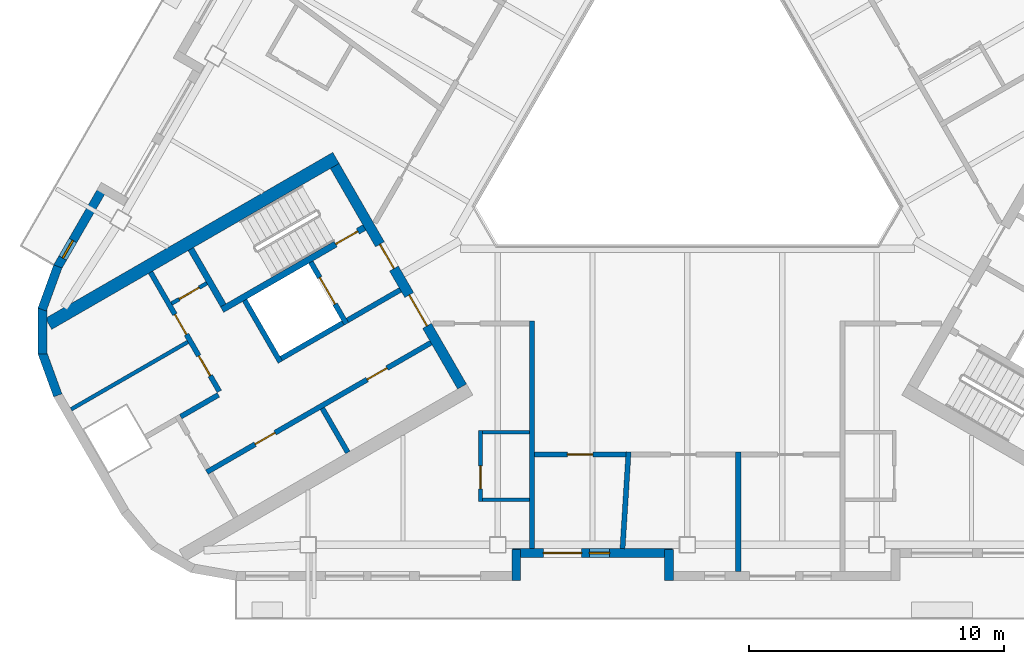
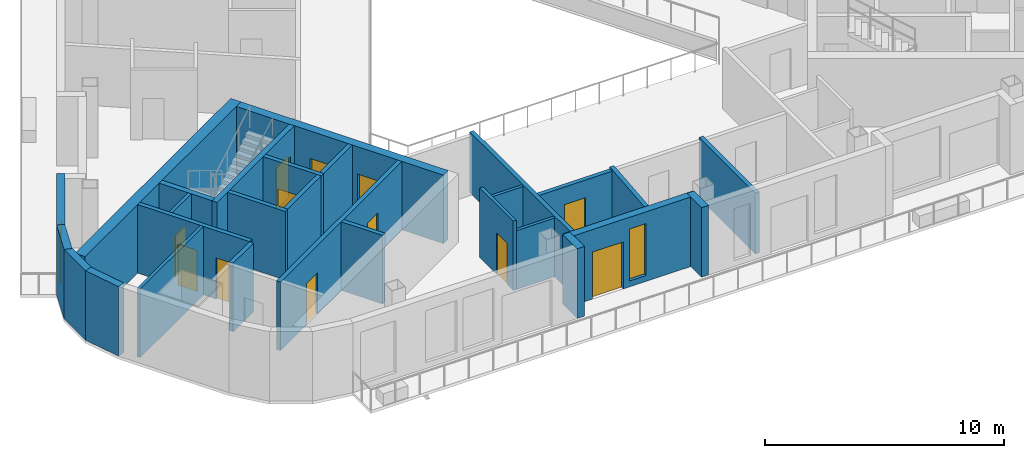
# One storey, part 3 of 13: 28 walls, 12 doors, 2 windows, 14 openings.
"""IFC4 building model written with IfcOpenShell, lengths in metres."""

from ifc_helpers import new_model, si_unit, direction, frame, frame_2d, origin, place, context, subcontext, project, spatial, rectangle, extrude, material, layer, layer_set, type_object, element, fill, save


model = new_model("IFC4")

# Units and contexts
model_context = context("Model", 3, precision=1e-05, world=origin(), true_north=direction((0.0, 1.0)))
body_context = subcontext(model_context, "Body", "Model", "MODEL_VIEW")
ifc_project = project(units=[si_unit("LENGTHUNIT", "METRE"), si_unit("AREAUNIT", "SQUARE_METRE"), si_unit("VOLUMEUNIT", "CUBIC_METRE"), si_unit("PLANEANGLEUNIT", "RADIAN"), si_unit("MASSUNIT", "GRAM", prefix="KILO")], contexts=[model_context])

# Site, building, storey
site_placement = place(None, origin())
site = spatial("IfcSite", under=ifc_project, at=site_placement, CompositionType="ELEMENT")
building_placement = place(site_placement, origin())
building = spatial("IfcBuilding", under=site, at=building_placement, Name="Apuvela Tower Hotel", CompositionType="ELEMENT")
storey_placement = place(building_placement, frame((0.0, 0.0, 272.60009765625)))
storey = spatial("IfcBuildingStorey", under=building, at=storey_placement, Name="L67", CompositionType="ELEMENT", Elevation=272.60009765625)

# Wall, openings, doors
ifc_material_1 = material(Name="Concrete C50/60", Category="concrete")
ifc_layer_1 = layer(ifc_material_1, 0.39990234375)
ifc_layer_set_1 = layer_set([ifc_layer_1], Name="COR-WALL-CORE-400")
wall_type_1 = type_object("IfcWallType", Name="COR-WALL-CORE-400", PredefinedType="SHEAR", material=ifc_layer_set_1)
wall_1_placement = place(storey_placement, frame((-13.844970703125, -2.219970703125, 0.0), z_axis=(0.0, 0.0, 1.0), x_axis=(0.500004234368, -0.866022959057, 0.0)))
wall_1 = element("IfcWall", 1, at=wall_1_placement, inside=storey, type_object=wall_type_1, Name="Core wall SW", PredefinedType="SHEAR", context=body_context, shape_type="SweptSolid", body=[
    extrude(rectangle(XDim=10.0, YDim=0.39990234375, at=frame_2d((5.0, 0.0))), origin(), (0.0, 0.0, 1.0), 3.5),
])
opening_1_placement = place(wall_1_placement, frame((3.550048828125, 0.0, 0.0)))
opening_1 = element("IfcOpeningElement", 2, at=opening_1_placement, cuts=wall_1, Name="Opening W-FD", PredefinedType="OPENING", context=body_context, shape_type="SweptSolid", body=[
    extrude(rectangle(XDim=1.10009765625, YDim=2.10009765625, at=frame_2d((0.550048828125, 1.050048828125))), frame((0.0, 0.2099609375, 0.0), z_axis=(0.0, -1.0, 0.0), x_axis=(1.0, 0.0, 0.0)), (0.0, 0.0, 1.0), 0.419921875),
])
opening_2_placement = place(wall_1_placement, frame((5.85009765625, 0.0, 0.0)))
opening_2 = element("IfcOpeningElement", 3, at=opening_2_placement, cuts=wall_1, Name="Opening W-GD", PredefinedType="OPENING", context=body_context, shape_type="SweptSolid", body=[
    extrude(rectangle(XDim=1.39990234375, YDim=2.10009765625, at=frame_2d((0.699951171875, 1.050048828125))), frame((0.0, 0.2099609375, 0.0), z_axis=(0.0, -1.0, 0.0), x_axis=(1.0, 0.0, 0.0)), (0.0, 0.0, 1.0), 0.419921875),
])
ifc_material_2 = material(Name="Steel fire door, powder coated", Category="steel")
door_type_1 = type_object("IfcDoorType", Name="COR-FD-1100", OperationType="NOTDEFINED", PredefinedType="DOOR", material=ifc_material_2)
door_1_placement = place(opening_1_placement, frame((1.10009765625, 0.0, 0.0), z_axis=(0.0, 0.0, 1.0), x_axis=(-1.0, 0.0, 0.0)))
door_1 = element("IfcDoor", 4, at=door_1_placement, inside=storey, type_object=door_type_1, Name="Firefighting lobby door W-FD", OperationType="SINGLE_SWING_LEFT", OverallHeight=2.10009765625, OverallWidth=1.10009765625, PredefinedType="DOOR", context=body_context, shape_type="SweptSolid", body=[
    extrude(rectangle(XDim=1.10009765625, YDim=2.10009765625, at=frame_2d((0.550048828125, 1.050048828125))), frame((0.0, 0.02490234375, 0.0), z_axis=(0.0, -1.0, 0.0), x_axis=(1.0, 0.0, 0.0)), (0.0, 0.0, 1.0), 0.050048828125),
])
fill(opening_1, door_1)
ifc_material_3 = material(Name="Glazed steel fire door", Category="steel")
door_type_2 = type_object("IfcDoorType", Name="COR-GD-1400", OperationType="DOUBLE_DOOR_SINGLE_SWING", PredefinedType="DOOR", material=ifc_material_3)
door_2_placement = place(opening_2_placement, frame((1.39990234375, 0.0, 0.0), z_axis=(0.0, 0.0, 1.0), x_axis=(-1.0, 0.0, 0.0)))
door_2 = element("IfcDoor", 5, at=door_2_placement, inside=storey, type_object=door_type_2, Name="Lift lobby door W-GD", OperationType="DOUBLE_DOOR_SINGLE_SWING", OverallHeight=2.10009765625, OverallWidth=1.39990234375, PredefinedType="DOOR", context=body_context, shape_type="SweptSolid", body=[
    extrude(rectangle(XDim=1.39990234375, YDim=2.10009765625, at=frame_2d((0.699951171875, 1.050048828125))), frame((0.0, 0.02490234375, 0.0), z_axis=(0.0, -1.0, 0.0), x_axis=(1.0, 0.0, 0.0)), (0.0, 0.0, 1.0), 0.050048828125),
])
fill(opening_2, door_2)

# Wall
ifc_layer_2 = layer(ifc_material_1, 0.5)
ifc_layer_set_2 = layer_set([ifc_layer_2], Name="COR-WALL-CORE-500")
wall_type_2 = type_object("IfcWallType", Name="COR-WALL-CORE-500", PredefinedType="SHEAR", material=ifc_layer_set_2)
wall_2_placement = place(storey_placement, frame((-13.796630859375, -1.9033203125, 0.0), z_axis=(0.0, 0.0, 1.0), x_axis=(-0.866022106474, -0.500005711065, 0.0)))
element("IfcWall", 6, at=wall_2_placement, inside=storey, type_object=wall_type_2, Name="Core wall SW", PredefinedType="SHEAR", context=body_context, shape_type="SweptSolid", body=[
    extrude(rectangle(XDim=13.031494140625, YDim=0.5, at=frame_2d((6.515625, 0.0))), origin(), (0.0, 0.0, 1.0), 3.5),
])

# Wall, opening, door
ifc_material_4 = material(Name="Blockwork 150 mm plastered", Category="masonry")
ifc_layer_3 = layer(ifc_material_4, 0.14990234375)
ifc_layer_set_3 = layer_set([ifc_layer_3], Name="COR-WALL-PART-150")
wall_type_3 = type_object("IfcWallType", Name="COR-WALL-PART-150", PredefinedType="PARTITIONING", material=ifc_layer_set_3)
wall_3_placement = place(storey_placement, frame((-18.866455078125, -6.822265625, 0.0), z_axis=(0.0, 0.0, 1.0), x_axis=(-0.866028054938, -0.499995408039, 0.0)))
wall_3 = element("IfcWall", 7, at=wall_3_placement, inside=storey, type_object=wall_type_3, Name="Partition SW", PredefinedType="PARTITIONING", context=body_context, shape_type="SweptSolid", body=[
    extrude(rectangle(XDim=1.60009765625, YDim=0.14990234375, at=frame_2d((0.800048828125, 0.0))), origin(), (0.0, 0.0, 1.0), 3.5),
])
opening_3_placement = place(wall_3_placement, frame((0.35009765625, 0.0, 0.0)))
opening_3 = element("IfcOpeningElement", 8, at=opening_3_placement, cuts=wall_3, Name="Opening W-RD", PredefinedType="OPENING", context=body_context, shape_type="SweptSolid", body=[
    extrude(rectangle(XDim=0.89990234375, YDim=2.10009765625, at=frame_2d((0.449951171875, 1.050048828125))), frame((0.0, 0.0849609375, 0.0), z_axis=(0.0, -1.0, 0.0), x_axis=(1.0, 0.0, 0.0)), (0.0, 0.0, 1.0), 0.169921875),
])
ifc_material_5 = material(Name="Steel access door, powder coated", Category="steel")
door_type_3 = type_object("IfcDoorType", Name="COR-RD-900", OperationType="NOTDEFINED", PredefinedType="DOOR", material=ifc_material_5)
door_3_placement = place(opening_3_placement, frame((0.89990234375, 0.0, 0.0), z_axis=(0.0, 0.0, 1.0), x_axis=(-1.0, 0.0, 0.0)))
door_3 = element("IfcDoor", 9, at=door_3_placement, inside=storey, type_object=door_type_3, Name="Riser door W-RD", OperationType="SINGLE_SWING_RIGHT", OverallHeight=2.10009765625, OverallWidth=0.89990234375, PredefinedType="DOOR", context=body_context, shape_type="SweptSolid", body=[
    extrude(rectangle(XDim=0.89990234375, YDim=2.10009765625, at=frame_2d((0.449951171875, 1.050048828125))), frame((0.0, 0.02490234375, 0.0), z_axis=(0.0, -1.0, 0.0), x_axis=(1.0, 0.0, 0.0)), (0.0, 0.0, 1.0), 0.050048828125),
])
fill(opening_3, door_3)

# Wall
wall_4_placement = place(storey_placement, frame((-19.61279296875, -9.129638671875, 0.0), z_axis=(0.0, 0.0, 1.0), x_axis=(-0.866028878405, -0.499993981732, 0.0)))
element("IfcWall", 10, at=wall_4_placement, inside=storey, type_object=wall_type_3, Name="Partition SW", PredefinedType="PARTITIONING", context=body_context, shape_type="SweptSolid", body=[
    extrude(rectangle(XDim=5.29248046875, YDim=0.14990234375, at=frame_2d((2.646240234375, 0.0))), origin(), (0.0, 0.0, 1.0), 3.5),
])

# Wall, openings, doors
ifc_material_6 = material(Name="Blockwork 200 mm plastered", Category="masonry")
ifc_layer_4 = layer(ifc_material_6, 0.199951171875)
ifc_layer_set_4 = layer_set([ifc_layer_4], Name="COR-WALL-PART-200")
wall_type_4 = type_object("IfcWallType", Name="COR-WALL-PART-200", PredefinedType="PARTITIONING", material=ifc_layer_set_4)
wall_5_placement = place(storey_placement, frame((-21.076171875, -6.39501953125, 0.0), z_axis=(0.0, 0.0, 1.0), x_axis=(0.50001468107, -0.866016927499, 0.0)))
wall_5 = element("IfcWall", 11, at=wall_5_placement, inside=storey, type_object=wall_type_4, Name="Partition SW", PredefinedType="PARTITIONING", context=body_context, shape_type="SweptSolid", body=[
    extrude(rectangle(XDim=5.399658203125, YDim=0.199951171875, at=frame_2d((2.69970703125, 0.0))), origin(), (0.0, 0.0, 1.0), 3.5),
])
opening_4_placement = place(wall_5_placement, frame((1.91259765625, 0.0, 0.0)))
opening_4 = element("IfcOpeningElement", 12, at=opening_4_placement, cuts=wall_5, Name="Opening W-RS1", PredefinedType="OPENING", context=body_context, shape_type="SweptSolid", body=[
    extrude(rectangle(XDim=0.89990234375, YDim=2.10009765625, at=frame_2d((0.449951171875, 1.050048828125))), frame((0.0, 0.10986328125, 0.0), z_axis=(0.0, -1.0, 0.0), x_axis=(1.0, 0.0, 0.0)), (0.0, 0.0, 1.0), 0.219970703125),
])
opening_5_placement = place(wall_5_placement, frame((3.78759765625, 0.0, 0.0)))
opening_5 = element("IfcOpeningElement", 13, at=opening_5_placement, cuts=wall_5, Name="Opening W-RS2", PredefinedType="OPENING", context=body_context, shape_type="SweptSolid", body=[
    extrude(rectangle(XDim=0.89990234375, YDim=2.10009765625, at=frame_2d((0.449951171875, 1.050048828125))), frame((0.0, 0.10986328125, 0.0), z_axis=(0.0, -1.0, 0.0), x_axis=(1.0, 0.0, 0.0)), (0.0, 0.0, 1.0), 0.219970703125),
])
door_type_4 = type_object("IfcDoorType", Name="COR-DR-900", OperationType="NOTDEFINED", PredefinedType="DOOR", material=ifc_material_2)
door_4_placement = place(opening_4_placement, frame((0.89990234375, 0.0, 0.0), z_axis=(0.0, 0.0, 1.0), x_axis=(-1.0, 0.0, 0.0)))
door_4 = element("IfcDoor", 14, at=door_4_placement, inside=storey, type_object=door_type_4, Name="Store door W-RS1", OperationType="SINGLE_SWING_LEFT", OverallHeight=2.10009765625, OverallWidth=0.89990234375, PredefinedType="DOOR", context=body_context, shape_type="SweptSolid", body=[
    extrude(rectangle(XDim=0.89990234375, YDim=2.10009765625, at=frame_2d((0.449951171875, 1.050048828125))), frame((0.0, 0.02490234375, 0.0), z_axis=(0.0, -1.0, 0.0), x_axis=(1.0, 0.0, 0.0)), (0.0, 0.0, 1.0), 0.050048828125),
])
fill(opening_4, door_4)
door_5_placement = place(opening_5_placement, frame((0.89990234375, 0.0, 0.0), z_axis=(0.0, 0.0, 1.0), x_axis=(-1.0, 0.0, 0.0)))
door_5 = element("IfcDoor", 15, at=door_5_placement, inside=storey, type_object=door_type_4, Name="Store door W-RS2", OperationType="SINGLE_SWING_LEFT", OverallHeight=2.10009765625, OverallWidth=0.89990234375, PredefinedType="DOOR", context=body_context, shape_type="SweptSolid", body=[
    extrude(rectangle(XDim=0.89990234375, YDim=2.10009765625, at=frame_2d((0.449951171875, 1.050048828125))), frame((0.0, 0.02490234375, 0.0), z_axis=(0.0, -1.0, 0.0), x_axis=(1.0, 0.0, 0.0)), (0.0, 0.0, 1.0), 0.050048828125),
])
fill(opening_5, door_5)

# Wall
ifc_layer_5 = layer(ifc_material_1, 0.199951171875)
ifc_layer_set_5 = layer_set([ifc_layer_5], Name="COR-WALL-SHAFT-200")
wall_type_5 = type_object("IfcWallType", Name="COR-WALL-SHAFT-200", PredefinedType="SHEAR", material=ifc_layer_set_5)
wall_6_placement = place(storey_placement, frame((-17.38134765625, -7.49462890625, 0.0), z_axis=(0.0, 0.0, 1.0), x_axis=(0.500011755427, -0.866018616679, 0.0)))
element("IfcWall", 16, at=wall_6_placement, inside=storey, type_object=wall_type_5, Name="Shaft wall SW", PredefinedType="SHEAR", context=body_context, shape_type="SweptSolid", body=[
    extrude(rectangle(XDim=2.80029296875, YDim=0.199951171875, at=frame_2d((1.400146484375, 0.0))), origin(), (0.0, 0.0, 1.0), 3.5),
])

# Wall, opening, door
wall_7_placement = place(storey_placement, frame((-14.783203125, -5.99462890625, 0.0), z_axis=(0.0, 0.0, 1.0), x_axis=(0.49994636267, -0.866056369097, 0.0)))
wall_7 = element("IfcWall", 17, at=wall_7_placement, inside=storey, type_object=wall_type_5, Name="Shaft wall SW", PredefinedType="SHEAR", context=body_context, shape_type="SweptSolid", body=[
    extrude(rectangle(XDim=2.800048828125, YDim=0.199951171875, at=frame_2d((1.39990234375, 0.0))), origin(), (0.0, 0.0, 1.0), 3.5),
])
opening_6_placement = place(wall_7_placement, frame((0.699951171875, 0.0, 0.0)))
opening_6 = element("IfcOpeningElement", 18, at=opening_6_placement, cuts=wall_7, Name="Opening W-LD-FS2", PredefinedType="OPENING", context=body_context, shape_type="SweptSolid", body=[
    extrude(rectangle(XDim=1.199951171875, YDim=2.10009765625, at=frame_2d((0.60009765625, 1.050048828125))), frame((0.0, 0.10986328125, 0.0), z_axis=(0.0, -1.0, 0.0), x_axis=(1.0, 0.0, 0.0)), (0.0, 0.0, 1.0), 0.219970703125),
])
ifc_material_7 = material(Name="Stainless steel lift landing door", Category="steel")
door_type_5 = type_object("IfcDoorType", Name="COR-LD-1200", OperationType="DOUBLE_DOOR_SLIDING", PredefinedType="DOOR", material=ifc_material_7)
door_6_placement = place(opening_6_placement, origin())
door_6 = element("IfcDoor", 19, at=door_6_placement, inside=storey, type_object=door_type_5, Name="Lift landing door W-LD-FS2", OperationType="DOUBLE_DOOR_SLIDING", OverallHeight=2.10009765625, OverallWidth=1.199951171875, PredefinedType="DOOR", context=body_context, shape_type="SweptSolid", body=[
    extrude(rectangle(XDim=1.199951171875, YDim=2.10009765625, at=frame_2d((0.60009765625, 1.050048828125))), frame((0.0, 0.02490234375, 0.0), z_axis=(0.0, -1.0, 0.0), x_axis=(1.0, 0.0, 0.0)), (0.0, 0.0, 1.0), 0.050048828125),
])
fill(opening_6, door_6)

# Walls
wall_8_placement = place(storey_placement, frame((-13.519775390625, -8.383056640625, 0.0), z_axis=(0.0, 0.0, 1.0), x_axis=(-0.866034573852, -0.49998411664, 0.0)))
element("IfcWall", 20, at=wall_8_placement, inside=storey, type_object=wall_type_5, Name="Shaft wall SW", PredefinedType="SHEAR", context=body_context, shape_type="SweptSolid", body=[
    extrude(rectangle(XDim=2.7998046875, YDim=0.199951171875, at=frame_2d((1.39990234375, 0.0))), origin(), (0.0, 0.0, 1.0), 3.5),
])
wall_9_placement = place(storey_placement, frame((-11.26806640625, -7.0830078125, 0.0), z_axis=(0.0, 0.0, 1.0), x_axis=(-0.866050077142, -0.499957262057, 0.0)))
element("IfcWall", 21, at=wall_9_placement, inside=storey, type_object=wall_type_5, Name="Shaft wall SW", PredefinedType="SHEAR", context=body_context, shape_type="SweptSolid", body=[
    extrude(rectangle(XDim=2.400146484375, YDim=0.199951171875, at=frame_2d((1.2001953125, 0.0))), origin(), (0.0, 0.0, 1.0), 3.5),
])

# Wall, openings, doors
wall_10_placement = place(storey_placement, frame((-10.068115234375, -9.16162109375, 0.0), z_axis=(0.0, 0.0, 1.0), x_axis=(-0.866032725843, -0.499987317609, 0.0)))
wall_10 = element("IfcWall", 22, at=wall_10_placement, inside=storey, type_object=wall_type_5, Name="Shaft wall SW", PredefinedType="SHEAR", context=body_context, shape_type="SweptSolid", body=[
    extrude(rectangle(XDim=10.159912109375, YDim=0.199951171875, at=frame_2d((5.080078125, 0.0))), origin(), (0.0, 0.0, 1.0), 3.5),
])
opening_7_placement = place(wall_10_placement, frame((1.989990234375, 0.0, 0.0)))
opening_7 = element("IfcOpeningElement", 23, at=opening_7_placement, cuts=wall_10, Name="Opening W-RE1", PredefinedType="OPENING", context=body_context, shape_type="SweptSolid", body=[
    extrude(rectangle(XDim=0.89990234375, YDim=2.10009765625, at=frame_2d((0.449951171875, 1.050048828125))), frame((0.0, 0.10986328125, 0.0), z_axis=(0.0, -1.0, 0.0), x_axis=(1.0, 0.0, 0.0)), (0.0, 0.0, 1.0), 0.219970703125),
])
opening_8_placement = place(wall_10_placement, frame((7.070068359375, 0.0, 0.0)))
opening_8 = element("IfcOpeningElement", 24, at=opening_8_placement, cuts=wall_10, Name="Opening W-RE3", PredefinedType="OPENING", context=body_context, shape_type="SweptSolid", body=[
    extrude(rectangle(XDim=0.89990234375, YDim=2.10009765625, at=frame_2d((0.449951171875, 1.050048828125))), frame((0.0, 0.10986328125, 0.0), z_axis=(0.0, -1.0, 0.0), x_axis=(1.0, 0.0, 0.0)), (0.0, 0.0, 1.0), 0.219970703125),
])
door_7_placement = place(opening_7_placement, origin())
door_7 = element("IfcDoor", 25, at=door_7_placement, inside=storey, type_object=door_type_4, Name="Store door W-RE1", OperationType="SINGLE_SWING_LEFT", OverallHeight=2.10009765625, OverallWidth=0.89990234375, PredefinedType="DOOR", context=body_context, shape_type="SweptSolid", body=[
    extrude(rectangle(XDim=0.89990234375, YDim=2.10009765625, at=frame_2d((0.449951171875, 1.050048828125))), frame((0.0, 0.02490234375, 0.0), z_axis=(0.0, -1.0, 0.0), x_axis=(1.0, 0.0, 0.0)), (0.0, 0.0, 1.0), 0.050048828125),
])
fill(opening_7, door_7)
door_8_placement = place(opening_8_placement, origin())
door_8 = element("IfcDoor", 26, at=door_8_placement, inside=storey, type_object=door_type_4, Name="Store door W-RE3", OperationType="SINGLE_SWING_LEFT", OverallHeight=2.10009765625, OverallWidth=0.89990234375, PredefinedType="DOOR", context=body_context, shape_type="SweptSolid", body=[
    extrude(rectangle(XDim=0.89990234375, YDim=2.10009765625, at=frame_2d((0.449951171875, 1.050048828125))), frame((0.0, 0.02490234375, 0.0), z_axis=(0.0, -1.0, 0.0), x_axis=(1.0, 0.0, 0.0)), (0.0, 0.0, 1.0), 0.050048828125),
])
fill(opening_8, door_8)

# Walls
wall_11_placement = place(storey_placement, frame((-18.412841796875, -11.2080078125, 0.0), z_axis=(0.0, 0.0, 1.0), x_axis=(-0.866038183914, -0.499977863513, 0.0)))
element("IfcWall", 27, at=wall_11_placement, inside=storey, type_object=wall_type_5, Name="Shaft wall SW", PredefinedType="SHEAR", context=body_context, shape_type="SweptSolid", body=[
    extrude(rectangle(XDim=1.7099609375, YDim=0.199951171875, at=frame_2d((0.85498046875, 0.0))), origin(), (0.0, 0.0, 1.0), 3.5),
])
wall_12_placement = place(storey_placement, frame((-14.330810546875, -11.738037109375, 0.0), z_axis=(0.0, 0.0, 1.0), x_axis=(0.499972520799, -0.866041268327, 0.0)))
element("IfcWall", 28, at=wall_12_placement, inside=storey, type_object=wall_type_5, Name="Shaft wall SW", PredefinedType="SHEAR", context=body_context, shape_type="SweptSolid", body=[
    extrude(rectangle(XDim=2.0, YDim=0.199951171875, at=frame_2d((1.0, 0.0))), origin(), (0.0, 0.0, 1.0), 3.5),
])

# Wall, opening, door
ifc_layer_6 = layer(ifc_material_1, 0.25)
ifc_layer_set_6 = layer_set([ifc_layer_6], Name="COR-WALL-STAIR-250")
wall_type_6 = type_object("IfcWallType", Name="COR-WALL-STAIR-250", PredefinedType="SHEAR", material=ifc_layer_set_6)
wall_13_placement = place(storey_placement, frame((-12.6806640625, -4.636474609375, 0.0), z_axis=(0.0, 0.0, 1.0), x_axis=(-0.866021702275, -0.500006411147, 0.0)))
wall_13 = element("IfcWall", 29, at=wall_13_placement, inside=storey, type_object=wall_type_6, Name="Stair wall SW", PredefinedType="SHEAR", context=body_context, shape_type="SweptSolid", body=[
    extrude(rectangle(XDim=6.4501953125, YDim=0.25, at=frame_2d((3.22509765625, 0.0))), origin(), (0.0, 0.0, 1.0), 3.5),
])
opening_9_placement = place(wall_13_placement, frame((0.300048828125, 0.0, 0.0)))
opening_9 = element("IfcOpeningElement", 30, at=opening_9_placement, cuts=wall_13, Name="Opening W-SD", PredefinedType="OPENING", context=body_context, shape_type="SweptSolid", body=[
    extrude(rectangle(XDim=1.0, YDim=2.10009765625, at=frame_2d((0.5, 1.050048828125))), frame((0.0, 0.135009765625, 0.0), z_axis=(0.0, -1.0, 0.0), x_axis=(1.0, 0.0, 0.0)), (0.0, 0.0, 1.0), 0.27001953125),
])
door_type_6 = type_object("IfcDoorType", Name="COR-SD-1000", OperationType="NOTDEFINED", PredefinedType="DOOR", material=ifc_material_2)
door_9_placement = place(opening_9_placement, frame((1.0, 0.0, 0.0), z_axis=(0.0, 0.0, 1.0), x_axis=(-1.0, 0.0, 0.0)))
door_9 = element("IfcDoor", 31, at=door_9_placement, inside=storey, type_object=door_type_6, Name="Stair door W-SD", OperationType="SINGLE_SWING_LEFT", OverallHeight=2.10009765625, OverallWidth=1.0, PredefinedType="DOOR", context=body_context, shape_type="SweptSolid", body=[
    extrude(rectangle(XDim=1.0, YDim=2.10009765625, at=frame_2d((0.5, 1.050048828125))), frame((0.0, 0.02490234375, 0.0), z_axis=(0.0, -1.0, 0.0), x_axis=(1.0, 0.0, 0.0)), (0.0, 0.0, 1.0), 0.050048828125),
])
fill(opening_9, door_9)

# Wall
wall_14_placement = place(storey_placement, frame((-19.49560546875, -5.482421875, 0.0), z_axis=(0.0, 0.0, 1.0), x_axis=(0.499990435942, -0.866030925526, 0.0)))
element("IfcWall", 32, at=wall_14_placement, inside=storey, type_object=wall_type_6, Name="Stair wall SW", PredefinedType="SHEAR", context=body_context, shape_type="SweptSolid", body=[
    extrude(rectangle(XDim=2.5498046875, YDim=0.25, at=frame_2d((1.27490234375, 0.0))), origin(), (0.0, 0.0, 1.0), 3.5),
])

# Wall, opening, window
ifc_material_8 = material(Name="Concrete C40/50, dark pigmented precast panel", Category="concrete")
ifc_layer_7 = layer(ifc_material_8, 0.35009765625)
ifc_layer_set_7 = layer_set([ifc_layer_7], Name="ENV-WALL-350")
wall_type_7 = type_object("IfcWallType", Name="ENV-WALL-350", PredefinedType="SOLIDWALL", material=ifc_layer_set_7)
wall_15_placement = place(storey_placement, frame((-22.85986328125, -2.952880859375, 0.0), z_axis=(0.0, 0.0, 1.0), x_axis=(-0.50001992892, -0.866013897511, 0.0)))
wall_15 = element("IfcWall", 33, at=wall_15_placement, inside=storey, type_object=wall_type_7, Name="External wall L67-09", PredefinedType="SOLIDWALL", context=body_context, shape_type="SweptSolid", body=[
    extrude(rectangle(XDim=3.741455078125, YDim=0.35009765625, at=frame_2d((1.87060546875, 0.0))), origin(), (0.0, 0.0, 1.0), 3.5498046875),
])
opening_10_placement = place(wall_15_placement, frame((2.53076171875, 0.0, 0.300048828125)))
opening_10 = element("IfcOpeningElement", 34, at=opening_10_placement, cuts=wall_15, Name="Opening WN08", PredefinedType="OPENING", context=body_context, shape_type="SweptSolid", body=[
    extrude(rectangle(XDim=0.800048828125, YDim=2.64990234375, at=frame_2d((0.39990234375, 1.324951171875))), frame((0.0, 0.18505859375, 0.0), z_axis=(0.0, -1.0, 0.0), x_axis=(1.0, 0.0, 0.0)), (0.0, 0.0, 1.0), 0.3701171875),
])
ifc_material_9 = material(Name="Glass, dark tinted laminated insulated glazing unit", Category="glass")
window_type = type_object("IfcWindowType", Name="ENV-WIN-800x2650", PartitioningType="SINGLE_PANEL", PredefinedType="WINDOW", material=ifc_material_9)
window_1_placement = place(opening_10_placement, origin())
window_1 = element("IfcWindow", 35, at=window_1_placement, inside=storey, type_object=window_type, Name="Window WN08", OverallHeight=2.64990234375, OverallWidth=0.800048828125, PartitioningType="SINGLE_PANEL", PredefinedType="WINDOW", context=body_context, shape_type="SweptSolid", body=[
    extrude(rectangle(XDim=0.800048828125, YDim=2.64990234375, at=frame_2d((0.39990234375, 1.324951171875))), frame((0.0, 0.030029296875, 0.0), z_axis=(0.0, -1.0, 0.0), x_axis=(1.0, 0.0, 0.0)), (0.0, 0.0, 1.0), 0.06005859375),
])
fill(opening_10, window_1)

# Walls
wall_16_placement = place(storey_placement, frame((-24.7177734375, -6.165283203125, 0.0), z_axis=(0.0, 0.0, 1.0), x_axis=(-0.34206975284, -0.939674562916, 0.0)))
element("IfcWall", 36, at=wall_16_placement, inside=storey, type_object=wall_type_7, Name="External wall L67-10", PredefinedType="SOLIDWALL", context=body_context, shape_type="SweptSolid", body=[
    extrude(rectangle(XDim=1.800048828125, YDim=0.35009765625, at=frame_2d((0.89990234375, 0.0))), origin(), (0.0, 0.0, 1.0), 3.5498046875),
])
wall_17_placement = place(storey_placement, frame((-25.32275390625, -7.796875, 0.0), z_axis=(0.0, 0.0, 1.0), x_axis=(0.0, -1.0, 0.0)))
element("IfcWall", 37, at=wall_17_placement, inside=storey, type_object=wall_type_7, Name="External wall L67-11", PredefinedType="SOLIDWALL", context=body_context, shape_type="SweptSolid", body=[
    extrude(rectangle(XDim=1.7998046875, YDim=0.35009765625, at=frame_2d((0.89990234375, 0.0))), origin(), (0.0, 0.0, 1.0), 3.5498046875),
])
wall_18_placement = place(storey_placement, frame((-25.33349609375, -9.53662109375, 0.0), z_axis=(0.0, 0.0, 1.0), x_axis=(0.34206975284, -0.939674562916, 0.0)))
element("IfcWall", 38, at=wall_18_placement, inside=storey, type_object=wall_type_7, Name="External wall L67-12", PredefinedType="SOLIDWALL", context=body_context, shape_type="SweptSolid", body=[
    extrude(rectangle(XDim=1.800048828125, YDim=0.35009765625, at=frame_2d((0.89990234375, 0.0))), origin(), (0.0, 0.0, 1.0), 3.5498046875),
])
wall_19_placement = place(storey_placement, frame((-6.718505859375, -18.495849609375, 0.0), z_axis=(0.0, 0.0, 1.0), x_axis=(0.0, 1.0, 0.0)))
element("IfcWall", 39, at=wall_19_placement, inside=storey, type_object=wall_type_7, Name="External wall L67-18", PredefinedType="SOLIDWALL", context=body_context, shape_type="SweptSolid", body=[
    extrude(rectangle(XDim=1.219970703125, YDim=0.35009765625, at=frame_2d((0.60986328125, 0.0))), origin(), (0.0, 0.0, 1.0), 3.5498046875),
])

# Wall, openings, door, window
wall_20_placement = place(storey_placement, frame((-6.863525390625, -17.4208984375, 0.0), z_axis=(0.0, 0.0, 1.0), x_axis=(1.0, 0.0, 0.0)))
wall_20 = element("IfcWall", 40, at=wall_20_placement, inside=storey, type_object=wall_type_7, Name="External wall L67-19", PredefinedType="SOLIDWALL", context=body_context, shape_type="SweptSolid", body=[
    extrude(rectangle(XDim=6.283447265625, YDim=0.35009765625, at=frame_2d((3.1416015625, 0.0))), origin(), (0.0, 0.0, 1.0), 3.5498046875),
])
opening_11_placement = place(wall_20_placement, frame((1.21337890625, 0.0, 0.0)))
opening_11 = element("IfcOpeningElement", 41, at=opening_11_placement, cuts=wall_20, Name="Opening BD15", PredefinedType="OPENING", context=body_context, shape_type="SweptSolid", body=[
    extrude(rectangle(XDim=1.5, YDim=2.39990234375, at=frame_2d((0.75, 1.199951171875))), frame((0.0, 0.18505859375, 0.0), z_axis=(0.0, -1.0, 0.0), x_axis=(1.0, 0.0, 0.0)), (0.0, 0.0, 1.0), 0.3701171875),
])
opening_12_placement = place(wall_20_placement, frame((3.013427734375, 0.0, 0.300048828125)))
opening_12 = element("IfcOpeningElement", 42, at=opening_12_placement, cuts=wall_20, Name="Opening WN08", PredefinedType="OPENING", context=body_context, shape_type="SweptSolid", body=[
    extrude(rectangle(XDim=0.800048828125, YDim=2.64990234375, at=frame_2d((0.39990234375, 1.324951171875))), frame((0.0, 0.18505859375, 0.0), z_axis=(0.0, -1.0, 0.0), x_axis=(1.0, 0.0, 0.0)), (0.0, 0.0, 1.0), 0.3701171875),
])
ifc_material_10 = material(Name="Aluminium 6063-T6, dark bronze anodised frame with dark tinted laminated glass", Category="aluminium")
door_type_7 = type_object("IfcDoorType", Name="ENV-DOOR-BALCONY-1500x2400", OperationType="SLIDING_TO_LEFT", PredefinedType="DOOR", material=ifc_material_10)
door_10_placement = place(opening_11_placement, frame((1.5, 0.0, 0.0), z_axis=(0.0, 0.0, 1.0), x_axis=(-1.0, 0.0, 0.0)))
door_10 = element("IfcDoor", 43, at=door_10_placement, inside=storey, type_object=door_type_7, Name="Balcony door BD15", OperationType="SLIDING_TO_LEFT", OverallHeight=2.39990234375, OverallWidth=1.5, PredefinedType="DOOR", context=body_context, shape_type="SweptSolid", body=[
    extrude(rectangle(XDim=1.5, YDim=2.39990234375, at=frame_2d((0.75, 1.199951171875))), frame((0.0, 0.02490234375, 0.0), z_axis=(0.0, -1.0, 0.0), x_axis=(1.0, 0.0, 0.0)), (0.0, 0.0, 1.0), 0.050048828125),
])
fill(opening_11, door_10)
window_2_placement = place(opening_12_placement, origin())
window_2 = element("IfcWindow", 44, at=window_2_placement, inside=storey, type_object=window_type, Name="Window WN08", OverallHeight=2.64990234375, OverallWidth=0.800048828125, PartitioningType="SINGLE_PANEL", PredefinedType="WINDOW", context=body_context, shape_type="SweptSolid", body=[
    extrude(rectangle(XDim=0.800048828125, YDim=2.64990234375, at=frame_2d((0.39990234375, 1.324951171875))), frame((0.0, 0.030029296875, 0.0), z_axis=(0.0, -1.0, 0.0), x_axis=(1.0, 0.0, 0.0)), (0.0, 0.0, 1.0), 0.06005859375),
])
fill(opening_12, window_2)

# Walls
wall_21_placement = place(storey_placement, frame((-0.72509765625, -17.27587890625, 0.0), z_axis=(0.0, 0.0, 1.0), x_axis=(0.0, -1.0, 0.0)))
element("IfcWall", 45, at=wall_21_placement, inside=storey, type_object=wall_type_7, Name="External wall L67-20", PredefinedType="SOLIDWALL", context=body_context, shape_type="SweptSolid", body=[
    extrude(rectangle(XDim=1.219970703125, YDim=0.35009765625, at=frame_2d((0.60986328125, 0.0))), origin(), (0.0, 0.0, 1.0), 3.5498046875),
])
ifc_material_11 = material(Name="Gypsum board partition on twin steel stud", Category="steel")
ifc_layer_8 = layer(ifc_material_11, 0.199951171875)
ifc_layer_set_8 = layer_set([ifc_layer_8], Name="GST-PW1")
wall_type_8 = type_object("IfcWallType", Name="GST-PW1", PredefinedType="PARTITIONING", material=ifc_layer_set_8)
wall_22_placement = place(storey_placement, frame((-6.10009765625, -17.245849609375, 0.0), z_axis=(0.0, 0.0, 1.0), x_axis=(0.0, 1.0, 0.0)))
element("IfcWall", 46, at=wall_22_placement, inside=storey, type_object=wall_type_8, Name="L67 partition 01", PredefinedType="PARTITIONING", context=body_context, shape_type="SweptSolid", body=[
    extrude(rectangle(XDim=8.94580078125, YDim=0.199951171875, at=frame_2d((4.472900390625, 0.0))), origin(), (0.0, 0.0, 1.0), 3.099853515625),
])
wall_23_placement = place(storey_placement, frame((-2.5439453125, -17.245849609375, 0.0), z_axis=(0.0, 0.0, 1.0), x_axis=(0.062070892854, 0.998071743043, 0.0)))
element("IfcWall", 47, at=wall_23_placement, inside=storey, type_object=wall_type_8, Name="L67 partition 02", PredefinedType="PARTITIONING", context=body_context, shape_type="SweptSolid", body=[
    extrude(rectangle(XDim=3.807373046875, YDim=0.199951171875, at=frame_2d((1.90380859375, 0.0))), origin(), (0.0, 0.0, 1.0), 3.099853515625),
])
wall_24_placement = place(storey_placement, frame((2.0, -18.145751953125, 0.0), z_axis=(0.0, 0.0, 1.0), x_axis=(0.0, 1.0, 0.0)))
element("IfcWall", 48, at=wall_24_placement, inside=storey, type_object=wall_type_8, Name="L67 partition 03", PredefinedType="PARTITIONING", context=body_context, shape_type="SweptSolid", body=[
    extrude(rectangle(XDim=4.699951171875, YDim=0.199951171875, at=frame_2d((2.35009765625, 0.0))), origin(), (0.0, 0.0, 1.0), 3.099853515625),
])

# Wall, opening, door
ifc_material_12 = material(Name="Gypsum board corridor wall on twin steel stud, acoustic", Category="steel")
ifc_layer_9 = layer(ifc_material_12, 0.199951171875)
ifc_layer_set_9 = layer_set([ifc_layer_9], Name="GST-PW2")
wall_type_9 = type_object("IfcWallType", Name="GST-PW2", PredefinedType="PARTITIONING", material=ifc_layer_set_9)
wall_25_placement = place(storey_placement, frame((-2.4140625, -13.5458984375, 0.0), z_axis=(0.0, 0.0, 1.0), x_axis=(-1.0, 0.0, 0.0)))
wall_25 = element("IfcWall", 49, at=wall_25_placement, inside=storey, type_object=wall_type_9, Name="L67 partition 15", PredefinedType="PARTITIONING", context=body_context, shape_type="SweptSolid", body=[
    extrude(rectangle(XDim=3.5859375, YDim=0.199951171875, at=frame_2d((1.79296875, 0.0))), origin(), (0.0, 0.0, 1.0), 3.0),
])
opening_13_placement = place(wall_25_placement, frame((1.29296875, 0.0, 0.0)))
opening_13 = element("IfcOpeningElement", 50, at=opening_13_placement, cuts=wall_25, Name="Opening GD26-03", PredefinedType="OPENING", context=body_context, shape_type="SweptSolid", body=[
    extrude(rectangle(XDim=1.0, YDim=2.10009765625, at=frame_2d((0.5, 1.050048828125))), frame((0.0, 0.10986328125, 0.0), z_axis=(0.0, -1.0, 0.0), x_axis=(1.0, 0.0, 0.0)), (0.0, 0.0, 1.0), 0.219970703125),
])
ifc_material_13 = material(Name="Timber door leaf in steel frame", Category="steel")
door_type_8 = type_object("IfcDoorType", Name="GST-D1", OperationType="NOTDEFINED", PredefinedType="DOOR", material=ifc_material_13)
door_11_placement = place(opening_13_placement, origin())
door_11 = element("IfcDoor", 51, at=door_11_placement, inside=storey, type_object=door_type_8, Name="Door L67-03", OperationType="SINGLE_SWING_LEFT", OverallHeight=2.10009765625, OverallWidth=1.0, PredefinedType="DOOR", context=body_context, shape_type="SweptSolid", body=[
    extrude(rectangle(XDim=1.0, YDim=2.10009765625, at=frame_2d((0.5, 1.050048828125))), frame((0.0, 0.02490234375, 0.0), z_axis=(0.0, -1.0, 0.0), x_axis=(1.0, 0.0, 0.0)), (0.0, 0.0, 1.0), 0.050048828125),
])
fill(opening_13, door_11)

ifc_material_14 = material(Name="Moisture-resistant gypsum board wet wall on steel stud", Category="steel")
ifc_layer_10 = layer(ifc_material_14, 0.14990234375)
ifc_layer_set_10 = layer_set([ifc_layer_10], Name="GST-PW3")
wall_type_10 = type_object("IfcWallType", Name="GST-PW3", PredefinedType="PARTITIONING", material=ifc_layer_set_10)
wall_26_placement = place(storey_placement, frame((-8.125, -12.60009765625, 0.0), z_axis=(0.0, 0.0, 1.0), x_axis=(0.0, -1.0, 0.0)))
wall_26 = element("IfcWall", 52, at=wall_26_placement, inside=storey, type_object=wall_type_10, Name="L67 partition 12", PredefinedType="PARTITIONING", context=body_context, shape_type="SweptSolid", body=[
    extrude(rectangle(XDim=2.7998046875, YDim=0.14990234375, at=frame_2d((1.39990234375, 0.0))), origin(), (0.0, 0.0, 1.0), 3.5498046875),
])
opening_14_placement = place(wall_26_placement, frame((1.39990234375, 0.0, 0.0)))
opening_14 = element("IfcOpeningElement", 53, at=opening_14_placement, cuts=wall_26, Name="Opening GD26-01", PredefinedType="OPENING", context=body_context, shape_type="SweptSolid", body=[
    extrude(rectangle(XDim=0.89990234375, YDim=2.10009765625, at=frame_2d((0.449951171875, 1.050048828125))), frame((0.0, 0.0849609375, 0.0), z_axis=(0.0, -1.0, 0.0), x_axis=(1.0, 0.0, 0.0)), (0.0, 0.0, 1.0), 0.169921875),
])
door_type_9 = type_object("IfcDoorType", Name="GST-D2", OperationType="NOTDEFINED", PredefinedType="DOOR", material=ifc_material_13)
door_12_placement = place(opening_14_placement, origin())
door_12 = element("IfcDoor", 54, at=door_12_placement, inside=storey, type_object=door_type_9, Name="Door L67-01", OperationType="SINGLE_SWING_RIGHT", OverallHeight=2.10009765625, OverallWidth=0.89990234375, PredefinedType="DOOR", context=body_context, shape_type="SweptSolid", body=[
    extrude(rectangle(XDim=0.89990234375, YDim=2.10009765625, at=frame_2d((0.449951171875, 1.050048828125))), frame((0.0, 0.02490234375, 0.0), z_axis=(0.0, -1.0, 0.0), x_axis=(1.0, 0.0, 0.0)), (0.0, 0.0, 1.0), 0.050048828125),
])
fill(opening_14, door_12)

# Walls
for number, where, z_axis, x_axis, name in (
    (55, (-8.050048828125, -15.324951171875, 0.0), (0.0, 0.0, 1.0), (1.0, 0.0, 0.0), "L67 partition 13"),
    (56, (-8.050048828125, -12.675048828125, 0.0), (0.0, 0.0, 1.0), (1.0, 0.0, 0.0), "L67 partition 14"),
):
    element("IfcWall", number, at=place(storey_placement, frame(where, z_axis=z_axis, x_axis=x_axis)), inside=storey, type_object=wall_type_10, Name=name, PredefinedType="PARTITIONING", context=body_context, shape_type="SweptSolid", body=[
        extrude(rectangle(XDim=1.85009765625, YDim=0.14990234375, at=frame_2d((0.925048828125, 0.0))), origin(), (0.0, 0.0, 1.0), 3.0),
    ])

save(model, "model.ifc")
